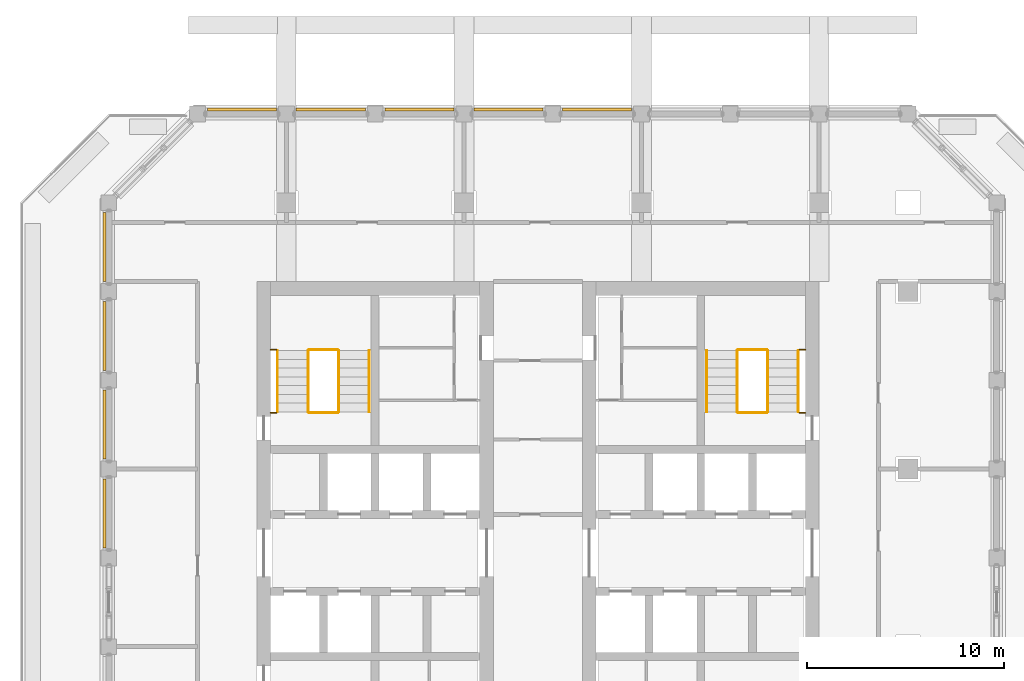
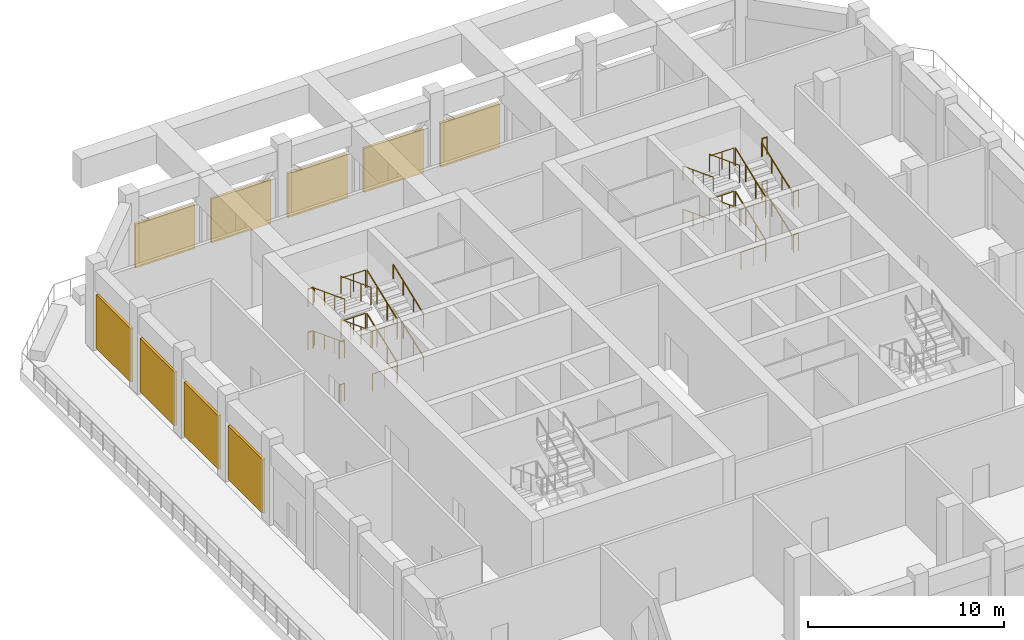
# One storey, part 17 of 19: 32 railings, 9 shading devices.
"""IFC4 building model written with IfcOpenShell, lengths in metres."""

from ifc_helpers import new_model, si_unit, direction, frame, origin, origin_2d, place, context, subcontext, project, spatial, rectangle, circle, extrude, material, layer, layer_set, type_object, element, save


model = new_model("IFC4")

# Units and contexts
model_context = context("Model", 3, precision=1e-05, world=origin(), true_north=direction((0.0, 1.0)))
body_context = subcontext(model_context, "Body", "Model", "MODEL_VIEW")
ifc_project = project(units=[si_unit("LENGTHUNIT", "METRE"), si_unit("AREAUNIT", "SQUARE_METRE"), si_unit("VOLUMEUNIT", "CUBIC_METRE"), si_unit("PLANEANGLEUNIT", "RADIAN"), si_unit("MASSUNIT", "GRAM", prefix="KILO")], contexts=[model_context])

# Site, building, storey
site_placement = place(None, origin())
site = spatial("IfcSite", under=ifc_project, at=site_placement, CompositionType="ELEMENT")
building_placement = place(site_placement, origin())
building = spatial("IfcBuilding", under=site, at=building_placement, Name="Corbel Stack Research Tower", CompositionType="ELEMENT")
storey_placement = place(building_placement, frame((0.0, 0.0, 226.199951171875)))
storey = spatial("IfcBuildingStorey", under=building, at=storey_placement, Name="L51", CompositionType="ELEMENT", Elevation=226.199951171875)

# Shading devices
ifc_material_1 = material(Name="Aluminium louvre", Category="aluminium")
ifc_layer = layer(ifc_material_1, 0.14990234375)
ifc_layer_set = layer_set([ifc_layer], Name="Aluminium louvre")
shading_device_type = type_object("IfcShadingDeviceType", Name="Plant louvre 150", PredefinedType="USERDEFINED", material=ifc_layer_set)
for number, where, z_axis, x_axis, name in (
    (1, (6.75, 27.22509765625, 0.199951171875), (0.0, 0.0, 1.0), (-1.0, 0.0, 0.0), "Plant louvre L51 N04"),
    (2, (2.25, 27.22509765625, 0.199951171875), (0.0, 0.0, 1.0), (-1.0, 0.0, 0.0), "Plant louvre L51 N05"),
    (3, (-2.25, 27.22509765625, 0.199951171875), (0.0, 0.0, 1.0), (-1.0, 0.0, 0.0), "Plant louvre L51 N06"),
    (4, (-6.75, 27.22509765625, 0.199951171875), (0.0, 0.0, 1.0), (-1.0, 0.0, 0.0), "Plant louvre L51 N07"),
    (5, (-11.25, 27.22509765625, 0.199951171875), (0.0, 0.0, 1.0), (-1.0, 0.0, 0.0), "Plant louvre L51 N08"),
):
    element("IfcShadingDevice", number, at=place(storey_placement, frame(where, z_axis=z_axis, x_axis=x_axis)), inside=storey, type_object=shading_device_type, Name=name, ObjectType="LOUVRE", PredefinedType="USERDEFINED", context=body_context, shape_type="SweptSolid", body=[
        extrude(rectangle(XDim=3.5, YDim=0.14990234375, at=origin_2d()), origin(), (0.0, 0.0, 1.0), 2.75),
    ])
for number, where, z_axis, x_axis, name in (
    (6, (-18.22509765625, 20.25, 0.199951171875), (0.0, 0.0, 1.0), (0.0, -1.0, 0.0), "Plant louvre L51 W01"),
    (7, (-18.22509765625, 15.75, 0.199951171875), (0.0, 0.0, 1.0), (0.0, -1.0, 0.0), "Plant louvre L51 W02"),
    (8, (-18.22509765625, 11.25, 0.199951171875), (0.0, 0.0, 1.0), (0.0, -1.0, 0.0), "Plant louvre L51 W03"),
    (9, (-18.22509765625, 6.75, 0.199951171875), (0.0, 0.0, 1.0), (0.0, -1.0, 0.0), "Plant louvre L51 W04"),
):
    element("IfcShadingDevice", number, at=place(storey_placement, frame(where, z_axis=z_axis, x_axis=x_axis)), inside=storey, type_object=shading_device_type, Name=name, ObjectType="LOUVRE", PredefinedType="USERDEFINED", context=body_context, shape_type="SweptSolid", body=[
        extrude(rectangle(XDim=3.5, YDim=0.14990234375, at=origin_2d()), origin(), (0.0, 0.0, 1.0), 3.35009765625),
    ])

# Railings
ifc_material_2 = material(Name="Steel S355", Category="steel")
railing_type_1 = type_object("IfcRailingType", Name="Stair guard 1100", PredefinedType="GUARDRAIL", material=ifc_material_2)
railing_1_placement = place(storey_placement, frame((-6.35009765625, 11.89990234375, 0.168701171875)))
element("IfcRailing", 10, at=railing_1_placement, inside=storey, type_object=railing_type_1, Name="L51 ST-W2 stair guard 1", PredefinedType="GUARDRAIL", context=body_context, shape_type="SweptSolid", body=[
    extrude(circle(Radius=0.02392578125, at=origin_2d()), frame((0.0, 0.0, 1.076171875), z_axis=(0.0, 0.934484238495, 0.356004505596), x_axis=(-1.0, 0.0, 0.0)), (0.0, 0.0, 1.0), 3.318603515625),
    extrude(circle(Radius=0.02099609375, at=origin_2d()), origin(), (0.0, 0.0, 1.0), 1.052001953125),
    extrude(circle(Radius=0.02099609375, at=origin_2d()), frame((0.0, 1.03369140625, 0.393798828125)), (0.0, 0.0, 1.0), 1.052001953125),
    extrude(circle(Radius=0.02099609375, at=origin_2d()), frame((0.0, 2.0673828125, 0.78759765625)), (0.0, 0.0, 1.0), 1.052001953125),
    extrude(circle(Radius=0.02099609375, at=origin_2d()), frame((0.0, 3.10107421875, 1.181396484375)), (0.0, 0.0, 1.0), 1.052001953125),
])
railing_2_placement = place(storey_placement, frame((-6.39990234375, 15.051025390625, 1.35009765625)))
element("IfcRailing", 11, at=railing_2_placement, inside=storey, type_object=railing_type_1, Name="L51 ST-W2 stair guard 2", PredefinedType="GUARDRAIL", context=body_context, shape_type="SweptSolid", body=[
    extrude(circle(Radius=0.02392578125, at=origin_2d()), frame((0.0, 0.0, 1.076171875), z_axis=(-1.0, 0.0, 0.0), x_axis=(0.0, -1.0, 0.0)), (0.0, 0.0, 1.0), 1.4501953125),
    extrude(circle(Radius=0.02099609375, at=origin_2d()), origin(), (0.0, 0.0, 1.0), 1.052001953125),
    extrude(circle(Radius=0.02099609375, at=origin_2d()), frame((-0.72509765625, 0.0, 0.0)), (0.0, 0.0, 1.0), 1.052001953125),
    extrude(circle(Radius=0.02099609375, at=origin_2d()), frame((-1.4501953125, 0.0, 0.0)), (0.0, 0.0, 1.0), 1.052001953125),
])
railing_3_placement = place(storey_placement, frame((-9.5, 15.051025390625, 1.35009765625)))
element("IfcRailing", 12, at=railing_3_placement, inside=storey, type_object=railing_type_1, Name="L51 ST-W2 stair guard 3", PredefinedType="GUARDRAIL", context=body_context, shape_type="SweptSolid", body=[
    extrude(circle(Radius=0.02392578125, at=origin_2d()), frame((0.0, 0.0, 1.076171875), z_axis=(-1.0, 0.0, 0.0), x_axis=(0.0, -1.0, 0.0)), (0.0, 0.0, 1.0), 0.300048828125),
    extrude(circle(Radius=0.02099609375, at=origin_2d()), origin(), (0.0, 0.0, 1.0), 1.052001953125),
    extrude(circle(Radius=0.02099609375, at=origin_2d()), frame((-0.300048828125, 0.0, 0.0)), (0.0, 0.0, 1.0), 1.052001953125),
])
railing_4_placement = place(storey_placement, frame((-7.89990234375, 15.0009765625, 1.518798828125)))
element("IfcRailing", 13, at=railing_4_placement, inside=storey, type_object=railing_type_1, Name="L51 ST-W2 stair guard 4", PredefinedType="GUARDRAIL", context=body_context, shape_type="SweptSolid", body=[
    extrude(circle(Radius=0.02392578125, at=origin_2d()), frame((0.0, 0.0, 1.076171875), z_axis=(0.0, -0.934508712189, 0.355940257406), x_axis=(1.0, 0.0, 0.0)), (0.0, 0.0, 1.0), 3.318359375),
    extrude(circle(Radius=0.02099609375, at=origin_2d()), origin(), (0.0, 0.0, 1.0), 1.052001953125),
    extrude(circle(Radius=0.02099609375, at=origin_2d()), frame((0.0, -1.03369140625, 0.393798828125)), (0.0, 0.0, 1.0), 1.052001953125),
    extrude(circle(Radius=0.02099609375, at=origin_2d()), frame((0.0, -2.0673828125, 0.787353515625)), (0.0, 0.0, 1.0), 1.052001953125),
    extrude(circle(Radius=0.02099609375, at=origin_2d()), frame((0.0, -3.10107421875, 1.18115234375)), (0.0, 0.0, 1.0), 1.052001953125),
])
railing_5_placement = place(storey_placement, frame((-6.39990234375, 11.85009765625, 2.699951171875)))
element("IfcRailing", 14, at=railing_5_placement, inside=storey, type_object=railing_type_1, Name="L51 ST-W2 stair guard 5", PredefinedType="GUARDRAIL", context=body_context, shape_type="SweptSolid", body=[
    extrude(circle(Radius=0.02392578125, at=origin_2d()), frame((0.0, 0.0, 1.076171875), z_axis=(-1.0, 0.0, 0.0), x_axis=(0.0, -1.0, 0.0)), (0.0, 0.0, 1.0), 1.4501953125),
    extrude(circle(Radius=0.02099609375, at=origin_2d()), origin(), (0.0, 0.0, 1.0), 1.052001953125),
    extrude(circle(Radius=0.02099609375, at=origin_2d()), frame((-0.72509765625, 0.0, 0.0)), (0.0, 0.0, 1.0), 1.052001953125),
    extrude(circle(Radius=0.02099609375, at=origin_2d()), frame((-1.4501953125, 0.0, 0.0)), (0.0, 0.0, 1.0), 1.052001953125),
])
railing_6_placement = place(storey_placement, frame((-9.5, 11.85009765625, 2.699951171875)))
element("IfcRailing", 15, at=railing_6_placement, inside=storey, type_object=railing_type_1, Name="L51 ST-W2 stair guard 6", PredefinedType="GUARDRAIL", context=body_context, shape_type="SweptSolid", body=[
    extrude(circle(Radius=0.02392578125, at=origin_2d()), frame((0.0, 0.0, 1.076171875), z_axis=(-1.0, 0.0, 0.0), x_axis=(0.0, -1.0, 0.0)), (0.0, 0.0, 1.0), 0.300048828125),
    extrude(circle(Radius=0.02099609375, at=origin_2d()), origin(), (0.0, 0.0, 1.0), 1.052001953125),
    extrude(circle(Radius=0.02099609375, at=origin_2d()), frame((-0.300048828125, 0.0, 0.0)), (0.0, 0.0, 1.0), 1.052001953125),
])
railing_7_placement = place(storey_placement, frame((-6.35009765625, 11.89990234375, 2.868896484375)))
element("IfcRailing", 16, at=railing_7_placement, inside=storey, type_object=railing_type_1, Name="L51 ST-W2 stair guard 7", PredefinedType="GUARDRAIL", context=body_context, shape_type="SweptSolid", body=[
    extrude(circle(Radius=0.02392578125, at=origin_2d()), frame((0.0, 0.0, 1.076171875), z_axis=(0.0, 0.934508712189, 0.355940257406), x_axis=(-1.0, 0.0, 0.0)), (0.0, 0.0, 1.0), 3.318359375),
    extrude(circle(Radius=0.02099609375, at=origin_2d()), origin(), (0.0, 0.0, 1.0), 1.052001953125),
    extrude(circle(Radius=0.02099609375, at=origin_2d()), frame((0.0, 1.03369140625, 0.393798828125)), (0.0, 0.0, 1.0), 1.052001953125),
    extrude(circle(Radius=0.02099609375, at=origin_2d()), frame((0.0, 2.0673828125, 0.787353515625)), (0.0, 0.0, 1.0), 1.052001953125),
    extrude(circle(Radius=0.02099609375, at=origin_2d()), frame((0.0, 3.10107421875, 1.18115234375)), (0.0, 0.0, 1.0), 1.052001953125),
])
railing_8_placement = place(storey_placement, frame((-6.39990234375, 15.051025390625, 4.050048828125)))
element("IfcRailing", 17, at=railing_8_placement, inside=storey, type_object=railing_type_1, Name="L51 ST-W2 stair guard 8", PredefinedType="GUARDRAIL", context=body_context, shape_type="SweptSolid", body=[
    extrude(circle(Radius=0.02392578125, at=origin_2d()), frame((0.0, 0.0, 1.076171875), z_axis=(-1.0, 0.0, 0.0), x_axis=(0.0, -1.0, 0.0)), (0.0, 0.0, 1.0), 1.4501953125),
    extrude(circle(Radius=0.02099609375, at=origin_2d()), origin(), (0.0, 0.0, 1.0), 1.052001953125),
    extrude(circle(Radius=0.02099609375, at=origin_2d()), frame((-0.72509765625, 0.0, 0.0)), (0.0, 0.0, 1.0), 1.052001953125),
    extrude(circle(Radius=0.02099609375, at=origin_2d()), frame((-1.4501953125, 0.0, 0.0)), (0.0, 0.0, 1.0), 1.052001953125),
])
railing_9_placement = place(storey_placement, frame((-9.5, 15.051025390625, 4.050048828125)))
element("IfcRailing", 18, at=railing_9_placement, inside=storey, type_object=railing_type_1, Name="L51 ST-W2 stair guard 9", PredefinedType="GUARDRAIL", context=body_context, shape_type="SweptSolid", body=[
    extrude(circle(Radius=0.02392578125, at=origin_2d()), frame((0.0, 0.0, 1.076171875), z_axis=(-1.0, 0.0, 0.0), x_axis=(0.0, -1.0, 0.0)), (0.0, 0.0, 1.0), 0.300048828125),
    extrude(circle(Radius=0.02099609375, at=origin_2d()), origin(), (0.0, 0.0, 1.0), 1.052001953125),
    extrude(circle(Radius=0.02099609375, at=origin_2d()), frame((-0.300048828125, 0.0, 0.0)), (0.0, 0.0, 1.0), 1.052001953125),
])
railing_10_placement = place(storey_placement, frame((-7.89990234375, 15.0009765625, 4.21875)))
element("IfcRailing", 19, at=railing_10_placement, inside=storey, type_object=railing_type_1, Name="L51 ST-W2 stair guard 10", PredefinedType="GUARDRAIL", context=body_context, shape_type="SweptSolid", body=[
    extrude(circle(Radius=0.02392578125, at=origin_2d()), frame((0.0, 0.0, 1.076171875), z_axis=(0.0, -0.934484238495, 0.356004505596), x_axis=(1.0, 0.0, 0.0)), (0.0, 0.0, 1.0), 3.318603515625),
    extrude(circle(Radius=0.02099609375, at=origin_2d()), origin(), (0.0, 0.0, 1.0), 1.052001953125),
    extrude(circle(Radius=0.02099609375, at=origin_2d()), frame((0.0, -1.03369140625, 0.393798828125)), (0.0, 0.0, 1.0), 1.052001953125),
    extrude(circle(Radius=0.02099609375, at=origin_2d()), frame((0.0, -2.0673828125, 0.78759765625)), (0.0, 0.0, 1.0), 1.052001953125),
    extrude(circle(Radius=0.02099609375, at=origin_2d()), frame((0.0, -3.10107421875, 1.181396484375)), (0.0, 0.0, 1.0), 1.052001953125),
])
railing_11_placement = place(storey_placement, frame((-6.39990234375, 11.85009765625, 0.0)))
element("IfcRailing", 20, at=railing_11_placement, inside=storey, type_object=railing_type_1, Name="L51 ST-W2 stair guard 11", PredefinedType="GUARDRAIL", context=body_context, shape_type="SweptSolid", body=[
    extrude(circle(Radius=0.02392578125, at=origin_2d()), frame((0.0, 0.0, 1.076171875), z_axis=(-1.0, 0.0, 0.0), x_axis=(0.0, -1.0, 0.0)), (0.0, 0.0, 1.0), 1.4501953125),
    extrude(circle(Radius=0.02099609375, at=origin_2d()), origin(), (0.0, 0.0, 1.0), 1.052001953125),
    extrude(circle(Radius=0.02099609375, at=origin_2d()), frame((-0.72509765625, 0.0, 0.0)), (0.0, 0.0, 1.0), 1.052001953125),
    extrude(circle(Radius=0.02099609375, at=origin_2d()), frame((-1.4501953125, 0.0, 0.0)), (0.0, 0.0, 1.0), 1.052001953125),
])
railing_12_placement = place(storey_placement, frame((-9.5, 11.85009765625, 0.0)))
element("IfcRailing", 21, at=railing_12_placement, inside=storey, type_object=railing_type_1, Name="L51 ST-W2 stair guard 12", PredefinedType="GUARDRAIL", context=body_context, shape_type="SweptSolid", body=[
    extrude(circle(Radius=0.02392578125, at=origin_2d()), frame((0.0, 0.0, 1.076171875), z_axis=(-1.0, 0.0, 0.0), x_axis=(0.0, -1.0, 0.0)), (0.0, 0.0, 1.0), 0.300048828125),
    extrude(circle(Radius=0.02099609375, at=origin_2d()), origin(), (0.0, 0.0, 1.0), 1.052001953125),
    extrude(circle(Radius=0.02099609375, at=origin_2d()), frame((-0.300048828125, 0.0, 0.0)), (0.0, 0.0, 1.0), 1.052001953125),
])
railing_13_placement = place(storey_placement, frame((15.39990234375, 11.89990234375, 0.168701171875)))
element("IfcRailing", 22, at=railing_13_placement, inside=storey, type_object=railing_type_1, Name="L51 ST-E2 stair guard 1", PredefinedType="GUARDRAIL", context=body_context, shape_type="SweptSolid", body=[
    extrude(circle(Radius=0.02392578125, at=origin_2d()), frame((0.0, 0.0, 1.076171875), z_axis=(0.0, 0.934484238495, 0.356004505596), x_axis=(-1.0, 0.0, 0.0)), (0.0, 0.0, 1.0), 3.318603515625),
    extrude(circle(Radius=0.02099609375, at=origin_2d()), origin(), (0.0, 0.0, 1.0), 1.052001953125),
    extrude(circle(Radius=0.02099609375, at=origin_2d()), frame((0.0, 1.03369140625, 0.393798828125)), (0.0, 0.0, 1.0), 1.052001953125),
    extrude(circle(Radius=0.02099609375, at=origin_2d()), frame((0.0, 2.0673828125, 0.78759765625)), (0.0, 0.0, 1.0), 1.052001953125),
    extrude(circle(Radius=0.02099609375, at=origin_2d()), frame((0.0, 3.10107421875, 1.181396484375)), (0.0, 0.0, 1.0), 1.052001953125),
])
railing_14_placement = place(storey_placement, frame((15.35009765625, 15.051025390625, 1.35009765625)))
element("IfcRailing", 23, at=railing_14_placement, inside=storey, type_object=railing_type_1, Name="L51 ST-E2 stair guard 2", PredefinedType="GUARDRAIL", context=body_context, shape_type="SweptSolid", body=[
    extrude(circle(Radius=0.02392578125, at=origin_2d()), frame((0.0, 0.0, 1.076171875), z_axis=(-1.0, 0.0, 0.0), x_axis=(0.0, -1.0, 0.0)), (0.0, 0.0, 1.0), 1.4501953125),
    extrude(circle(Radius=0.02099609375, at=origin_2d()), origin(), (0.0, 0.0, 1.0), 1.052001953125),
    extrude(circle(Radius=0.02099609375, at=origin_2d()), frame((-0.72509765625, 0.0, 0.0)), (0.0, 0.0, 1.0), 1.052001953125),
    extrude(circle(Radius=0.02099609375, at=origin_2d()), frame((-1.4501953125, 0.0, 0.0)), (0.0, 0.0, 1.0), 1.052001953125),
])
railing_15_placement = place(storey_placement, frame((17.300048828125, 15.051025390625, 1.35009765625)))
element("IfcRailing", 24, at=railing_15_placement, inside=storey, type_object=railing_type_1, Name="L51 ST-E2 stair guard 3", PredefinedType="GUARDRAIL", context=body_context, shape_type="SweptSolid", body=[
    extrude(circle(Radius=0.02392578125, at=origin_2d()), frame((0.0, 0.0, 1.076171875), z_axis=(-1.0, 0.0, 0.0), x_axis=(0.0, -1.0, 0.0)), (0.0, 0.0, 1.0), 0.300048828125),
    extrude(circle(Radius=0.02099609375, at=origin_2d()), origin(), (0.0, 0.0, 1.0), 1.052001953125),
    extrude(circle(Radius=0.02099609375, at=origin_2d()), frame((-0.300048828125, 0.0, 0.0)), (0.0, 0.0, 1.0), 1.052001953125),
])
railing_16_placement = place(storey_placement, frame((13.85009765625, 15.0009765625, 1.518798828125)))
element("IfcRailing", 25, at=railing_16_placement, inside=storey, type_object=railing_type_1, Name="L51 ST-E2 stair guard 4", PredefinedType="GUARDRAIL", context=body_context, shape_type="SweptSolid", body=[
    extrude(circle(Radius=0.02392578125, at=origin_2d()), frame((0.0, 0.0, 1.076171875), z_axis=(0.0, -0.934508712189, 0.355940257406), x_axis=(1.0, 0.0, 0.0)), (0.0, 0.0, 1.0), 3.318359375),
    extrude(circle(Radius=0.02099609375, at=origin_2d()), origin(), (0.0, 0.0, 1.0), 1.052001953125),
    extrude(circle(Radius=0.02099609375, at=origin_2d()), frame((0.0, -1.03369140625, 0.393798828125)), (0.0, 0.0, 1.0), 1.052001953125),
    extrude(circle(Radius=0.02099609375, at=origin_2d()), frame((0.0, -2.0673828125, 0.787353515625)), (0.0, 0.0, 1.0), 1.052001953125),
    extrude(circle(Radius=0.02099609375, at=origin_2d()), frame((0.0, -3.10107421875, 1.18115234375)), (0.0, 0.0, 1.0), 1.052001953125),
])
railing_17_placement = place(storey_placement, frame((15.35009765625, 11.85009765625, 2.699951171875)))
element("IfcRailing", 26, at=railing_17_placement, inside=storey, type_object=railing_type_1, Name="L51 ST-E2 stair guard 5", PredefinedType="GUARDRAIL", context=body_context, shape_type="SweptSolid", body=[
    extrude(circle(Radius=0.02392578125, at=origin_2d()), frame((0.0, 0.0, 1.076171875), z_axis=(-1.0, 0.0, 0.0), x_axis=(0.0, -1.0, 0.0)), (0.0, 0.0, 1.0), 1.4501953125),
    extrude(circle(Radius=0.02099609375, at=origin_2d()), origin(), (0.0, 0.0, 1.0), 1.052001953125),
    extrude(circle(Radius=0.02099609375, at=origin_2d()), frame((-0.72509765625, 0.0, 0.0)), (0.0, 0.0, 1.0), 1.052001953125),
    extrude(circle(Radius=0.02099609375, at=origin_2d()), frame((-1.4501953125, 0.0, 0.0)), (0.0, 0.0, 1.0), 1.052001953125),
])
railing_18_placement = place(storey_placement, frame((17.300048828125, 11.85009765625, 2.699951171875)))
element("IfcRailing", 27, at=railing_18_placement, inside=storey, type_object=railing_type_1, Name="L51 ST-E2 stair guard 6", PredefinedType="GUARDRAIL", context=body_context, shape_type="SweptSolid", body=[
    extrude(circle(Radius=0.02392578125, at=origin_2d()), frame((0.0, 0.0, 1.076171875), z_axis=(-1.0, 0.0, 0.0), x_axis=(0.0, -1.0, 0.0)), (0.0, 0.0, 1.0), 0.300048828125),
    extrude(circle(Radius=0.02099609375, at=origin_2d()), origin(), (0.0, 0.0, 1.0), 1.052001953125),
    extrude(circle(Radius=0.02099609375, at=origin_2d()), frame((-0.300048828125, 0.0, 0.0)), (0.0, 0.0, 1.0), 1.052001953125),
])
railing_19_placement = place(storey_placement, frame((15.39990234375, 11.89990234375, 2.868896484375)))
element("IfcRailing", 28, at=railing_19_placement, inside=storey, type_object=railing_type_1, Name="L51 ST-E2 stair guard 7", PredefinedType="GUARDRAIL", context=body_context, shape_type="SweptSolid", body=[
    extrude(circle(Radius=0.02392578125, at=origin_2d()), frame((0.0, 0.0, 1.076171875), z_axis=(0.0, 0.934508712189, 0.355940257406), x_axis=(-1.0, 0.0, 0.0)), (0.0, 0.0, 1.0), 3.318359375),
    extrude(circle(Radius=0.02099609375, at=origin_2d()), origin(), (0.0, 0.0, 1.0), 1.052001953125),
    extrude(circle(Radius=0.02099609375, at=origin_2d()), frame((0.0, 1.03369140625, 0.393798828125)), (0.0, 0.0, 1.0), 1.052001953125),
    extrude(circle(Radius=0.02099609375, at=origin_2d()), frame((0.0, 2.0673828125, 0.787353515625)), (0.0, 0.0, 1.0), 1.052001953125),
    extrude(circle(Radius=0.02099609375, at=origin_2d()), frame((0.0, 3.10107421875, 1.18115234375)), (0.0, 0.0, 1.0), 1.052001953125),
])
railing_20_placement = place(storey_placement, frame((15.35009765625, 15.051025390625, 4.050048828125)))
element("IfcRailing", 29, at=railing_20_placement, inside=storey, type_object=railing_type_1, Name="L51 ST-E2 stair guard 8", PredefinedType="GUARDRAIL", context=body_context, shape_type="SweptSolid", body=[
    extrude(circle(Radius=0.02392578125, at=origin_2d()), frame((0.0, 0.0, 1.076171875), z_axis=(-1.0, 0.0, 0.0), x_axis=(0.0, -1.0, 0.0)), (0.0, 0.0, 1.0), 1.4501953125),
    extrude(circle(Radius=0.02099609375, at=origin_2d()), origin(), (0.0, 0.0, 1.0), 1.052001953125),
    extrude(circle(Radius=0.02099609375, at=origin_2d()), frame((-0.72509765625, 0.0, 0.0)), (0.0, 0.0, 1.0), 1.052001953125),
    extrude(circle(Radius=0.02099609375, at=origin_2d()), frame((-1.4501953125, 0.0, 0.0)), (0.0, 0.0, 1.0), 1.052001953125),
])
railing_21_placement = place(storey_placement, frame((17.300048828125, 15.051025390625, 4.050048828125)))
element("IfcRailing", 30, at=railing_21_placement, inside=storey, type_object=railing_type_1, Name="L51 ST-E2 stair guard 9", PredefinedType="GUARDRAIL", context=body_context, shape_type="SweptSolid", body=[
    extrude(circle(Radius=0.02392578125, at=origin_2d()), frame((0.0, 0.0, 1.076171875), z_axis=(-1.0, 0.0, 0.0), x_axis=(0.0, -1.0, 0.0)), (0.0, 0.0, 1.0), 0.300048828125),
    extrude(circle(Radius=0.02099609375, at=origin_2d()), origin(), (0.0, 0.0, 1.0), 1.052001953125),
    extrude(circle(Radius=0.02099609375, at=origin_2d()), frame((-0.300048828125, 0.0, 0.0)), (0.0, 0.0, 1.0), 1.052001953125),
])
railing_22_placement = place(storey_placement, frame((13.85009765625, 15.0009765625, 4.21875)))
element("IfcRailing", 31, at=railing_22_placement, inside=storey, type_object=railing_type_1, Name="L51 ST-E2 stair guard 10", PredefinedType="GUARDRAIL", context=body_context, shape_type="SweptSolid", body=[
    extrude(circle(Radius=0.02392578125, at=origin_2d()), frame((0.0, 0.0, 1.076171875), z_axis=(0.0, -0.934484238495, 0.356004505596), x_axis=(1.0, 0.0, 0.0)), (0.0, 0.0, 1.0), 3.318603515625),
    extrude(circle(Radius=0.02099609375, at=origin_2d()), origin(), (0.0, 0.0, 1.0), 1.052001953125),
    extrude(circle(Radius=0.02099609375, at=origin_2d()), frame((0.0, -1.03369140625, 0.393798828125)), (0.0, 0.0, 1.0), 1.052001953125),
    extrude(circle(Radius=0.02099609375, at=origin_2d()), frame((0.0, -2.0673828125, 0.78759765625)), (0.0, 0.0, 1.0), 1.052001953125),
    extrude(circle(Radius=0.02099609375, at=origin_2d()), frame((0.0, -3.10107421875, 1.181396484375)), (0.0, 0.0, 1.0), 1.052001953125),
])
railing_23_placement = place(storey_placement, frame((15.35009765625, 11.85009765625, 0.0)))
element("IfcRailing", 32, at=railing_23_placement, inside=storey, type_object=railing_type_1, Name="L51 ST-E2 stair guard 11", PredefinedType="GUARDRAIL", context=body_context, shape_type="SweptSolid", body=[
    extrude(circle(Radius=0.02392578125, at=origin_2d()), frame((0.0, 0.0, 1.076171875), z_axis=(-1.0, 0.0, 0.0), x_axis=(0.0, -1.0, 0.0)), (0.0, 0.0, 1.0), 1.4501953125),
    extrude(circle(Radius=0.02099609375, at=origin_2d()), origin(), (0.0, 0.0, 1.0), 1.052001953125),
    extrude(circle(Radius=0.02099609375, at=origin_2d()), frame((-0.72509765625, 0.0, 0.0)), (0.0, 0.0, 1.0), 1.052001953125),
    extrude(circle(Radius=0.02099609375, at=origin_2d()), frame((-1.4501953125, 0.0, 0.0)), (0.0, 0.0, 1.0), 1.052001953125),
])
railing_24_placement = place(storey_placement, frame((17.300048828125, 11.85009765625, 0.0)))
element("IfcRailing", 33, at=railing_24_placement, inside=storey, type_object=railing_type_1, Name="L51 ST-E2 stair guard 12", PredefinedType="GUARDRAIL", context=body_context, shape_type="SweptSolid", body=[
    extrude(circle(Radius=0.02392578125, at=origin_2d()), frame((0.0, 0.0, 1.076171875), z_axis=(-1.0, 0.0, 0.0), x_axis=(0.0, -1.0, 0.0)), (0.0, 0.0, 1.0), 0.300048828125),
    extrude(circle(Radius=0.02099609375, at=origin_2d()), origin(), (0.0, 0.0, 1.0), 1.052001953125),
    extrude(circle(Radius=0.02099609375, at=origin_2d()), frame((-0.300048828125, 0.0, 0.0)), (0.0, 0.0, 1.0), 1.052001953125),
])
ifc_material_3 = material(Name="Steel S355", Category="steel")
railing_type_2 = type_object("IfcRailingType", Name="Stair handrail 900", PredefinedType="HANDRAIL", material=ifc_material_3)
railing_25_placement = place(storey_placement, frame((-4.800048828125, 11.89990234375, 0.168701171875)))
element("IfcRailing", 34, at=railing_25_placement, inside=storey, type_object=railing_type_2, Name="L51 ST-W2 stair handrail 1", PredefinedType="HANDRAIL", context=body_context, shape_type="SweptSolid", body=[
    extrude(circle(Radius=0.02392578125, at=origin_2d()), frame((0.0, 0.0, 0.8759765625), z_axis=(0.0, 0.934484238495, 0.356004505596), x_axis=(-1.0, 0.0, 0.0)), (0.0, 0.0, 1.0), 3.318603515625),
    extrude(circle(Radius=0.02099609375, at=origin_2d()), origin(), (0.0, 0.0, 1.0), 0.851806640625),
    extrude(circle(Radius=0.02099609375, at=origin_2d()), frame((0.0, 1.03369140625, 0.393798828125)), (0.0, 0.0, 1.0), 0.851806640625),
    extrude(circle(Radius=0.02099609375, at=origin_2d()), frame((0.0, 2.0673828125, 0.78759765625)), (0.0, 0.0, 1.0), 0.851806640625),
    extrude(circle(Radius=0.02099609375, at=origin_2d()), frame((0.0, 3.10107421875, 1.181396484375)), (0.0, 0.0, 1.0), 0.851806640625),
])
railing_26_placement = place(storey_placement, frame((-9.449951171875, 15.0009765625, 1.518798828125)))
element("IfcRailing", 35, at=railing_26_placement, inside=storey, type_object=railing_type_2, Name="L51 ST-W2 stair handrail 2", PredefinedType="HANDRAIL", context=body_context, shape_type="SweptSolid", body=[
    extrude(circle(Radius=0.02392578125, at=origin_2d()), frame((0.0, 0.0, 0.8759765625), z_axis=(0.0, -0.934508712189, 0.355940257406), x_axis=(1.0, 0.0, 0.0)), (0.0, 0.0, 1.0), 3.318359375),
    extrude(circle(Radius=0.02099609375, at=origin_2d()), origin(), (0.0, 0.0, 1.0), 0.851806640625),
    extrude(circle(Radius=0.02099609375, at=origin_2d()), frame((0.0, -1.03369140625, 0.393798828125)), (0.0, 0.0, 1.0), 0.851806640625),
    extrude(circle(Radius=0.02099609375, at=origin_2d()), frame((0.0, -2.0673828125, 0.787353515625)), (0.0, 0.0, 1.0), 0.851806640625),
    extrude(circle(Radius=0.02099609375, at=origin_2d()), frame((0.0, -3.10107421875, 1.18115234375)), (0.0, 0.0, 1.0), 0.851806640625),
])
railing_27_placement = place(storey_placement, frame((-4.800048828125, 11.89990234375, 2.868896484375)))
element("IfcRailing", 36, at=railing_27_placement, inside=storey, type_object=railing_type_2, Name="L51 ST-W2 stair handrail 3", PredefinedType="HANDRAIL", context=body_context, shape_type="SweptSolid", body=[
    extrude(circle(Radius=0.02392578125, at=origin_2d()), frame((0.0, 0.0, 0.8759765625), z_axis=(0.0, 0.934508712189, 0.355940257406), x_axis=(-1.0, 0.0, 0.0)), (0.0, 0.0, 1.0), 3.318359375),
    extrude(circle(Radius=0.02099609375, at=origin_2d()), origin(), (0.0, 0.0, 1.0), 0.851806640625),
    extrude(circle(Radius=0.02099609375, at=origin_2d()), frame((0.0, 1.03369140625, 0.393798828125)), (0.0, 0.0, 1.0), 0.851806640625),
    extrude(circle(Radius=0.02099609375, at=origin_2d()), frame((0.0, 2.0673828125, 0.787353515625)), (0.0, 0.0, 1.0), 0.851806640625),
    extrude(circle(Radius=0.02099609375, at=origin_2d()), frame((0.0, 3.10107421875, 1.18115234375)), (0.0, 0.0, 1.0), 0.851806640625),
])
railing_28_placement = place(storey_placement, frame((-9.449951171875, 15.0009765625, 4.21875)))
element("IfcRailing", 37, at=railing_28_placement, inside=storey, type_object=railing_type_2, Name="L51 ST-W2 stair handrail 4", PredefinedType="HANDRAIL", context=body_context, shape_type="SweptSolid", body=[
    extrude(circle(Radius=0.02392578125, at=origin_2d()), frame((0.0, 0.0, 0.8759765625), z_axis=(0.0, -0.934484238495, 0.356004505596), x_axis=(1.0, 0.0, 0.0)), (0.0, 0.0, 1.0), 3.318603515625),
    extrude(circle(Radius=0.02099609375, at=origin_2d()), origin(), (0.0, 0.0, 1.0), 0.851806640625),
    extrude(circle(Radius=0.02099609375, at=origin_2d()), frame((0.0, -1.03369140625, 0.393798828125)), (0.0, 0.0, 1.0), 0.851806640625),
    extrude(circle(Radius=0.02099609375, at=origin_2d()), frame((0.0, -2.0673828125, 0.78759765625)), (0.0, 0.0, 1.0), 0.851806640625),
    extrude(circle(Radius=0.02099609375, at=origin_2d()), frame((0.0, -3.10107421875, 1.181396484375)), (0.0, 0.0, 1.0), 0.851806640625),
])
railing_29_placement = place(storey_placement, frame((16.949951171875, 11.89990234375, 0.168701171875)))
element("IfcRailing", 38, at=railing_29_placement, inside=storey, type_object=railing_type_2, Name="L51 ST-E2 stair handrail 1", PredefinedType="HANDRAIL", context=body_context, shape_type="SweptSolid", body=[
    extrude(circle(Radius=0.02392578125, at=origin_2d()), frame((0.0, 0.0, 0.8759765625), z_axis=(0.0, 0.934484238495, 0.356004505596), x_axis=(-1.0, 0.0, 0.0)), (0.0, 0.0, 1.0), 3.318603515625),
    extrude(circle(Radius=0.02099609375, at=origin_2d()), origin(), (0.0, 0.0, 1.0), 0.851806640625),
    extrude(circle(Radius=0.02099609375, at=origin_2d()), frame((0.0, 1.03369140625, 0.393798828125)), (0.0, 0.0, 1.0), 0.851806640625),
    extrude(circle(Radius=0.02099609375, at=origin_2d()), frame((0.0, 2.0673828125, 0.78759765625)), (0.0, 0.0, 1.0), 0.851806640625),
    extrude(circle(Radius=0.02099609375, at=origin_2d()), frame((0.0, 3.10107421875, 1.181396484375)), (0.0, 0.0, 1.0), 0.851806640625),
])
railing_30_placement = place(storey_placement, frame((12.300048828125, 15.0009765625, 1.518798828125)))
element("IfcRailing", 39, at=railing_30_placement, inside=storey, type_object=railing_type_2, Name="L51 ST-E2 stair handrail 2", PredefinedType="HANDRAIL", context=body_context, shape_type="SweptSolid", body=[
    extrude(circle(Radius=0.02392578125, at=origin_2d()), frame((0.0, 0.0, 0.8759765625), z_axis=(0.0, -0.934508712189, 0.355940257406), x_axis=(1.0, 0.0, 0.0)), (0.0, 0.0, 1.0), 3.318359375),
    extrude(circle(Radius=0.02099609375, at=origin_2d()), origin(), (0.0, 0.0, 1.0), 0.851806640625),
    extrude(circle(Radius=0.02099609375, at=origin_2d()), frame((0.0, -1.03369140625, 0.393798828125)), (0.0, 0.0, 1.0), 0.851806640625),
    extrude(circle(Radius=0.02099609375, at=origin_2d()), frame((0.0, -2.0673828125, 0.787353515625)), (0.0, 0.0, 1.0), 0.851806640625),
    extrude(circle(Radius=0.02099609375, at=origin_2d()), frame((0.0, -3.10107421875, 1.18115234375)), (0.0, 0.0, 1.0), 0.851806640625),
])
railing_31_placement = place(storey_placement, frame((16.949951171875, 11.89990234375, 2.868896484375)))
element("IfcRailing", 40, at=railing_31_placement, inside=storey, type_object=railing_type_2, Name="L51 ST-E2 stair handrail 3", PredefinedType="HANDRAIL", context=body_context, shape_type="SweptSolid", body=[
    extrude(circle(Radius=0.02392578125, at=origin_2d()), frame((0.0, 0.0, 0.8759765625), z_axis=(0.0, 0.934508712189, 0.355940257406), x_axis=(-1.0, 0.0, 0.0)), (0.0, 0.0, 1.0), 3.318359375),
    extrude(circle(Radius=0.02099609375, at=origin_2d()), origin(), (0.0, 0.0, 1.0), 0.851806640625),
    extrude(circle(Radius=0.02099609375, at=origin_2d()), frame((0.0, 1.03369140625, 0.393798828125)), (0.0, 0.0, 1.0), 0.851806640625),
    extrude(circle(Radius=0.02099609375, at=origin_2d()), frame((0.0, 2.0673828125, 0.787353515625)), (0.0, 0.0, 1.0), 0.851806640625),
    extrude(circle(Radius=0.02099609375, at=origin_2d()), frame((0.0, 3.10107421875, 1.18115234375)), (0.0, 0.0, 1.0), 0.851806640625),
])
railing_32_placement = place(storey_placement, frame((12.300048828125, 15.0009765625, 4.21875)))
element("IfcRailing", 41, at=railing_32_placement, inside=storey, type_object=railing_type_2, Name="L51 ST-E2 stair handrail 4", PredefinedType="HANDRAIL", context=body_context, shape_type="SweptSolid", body=[
    extrude(circle(Radius=0.02392578125, at=origin_2d()), frame((0.0, 0.0, 0.8759765625), z_axis=(0.0, -0.934484238495, 0.356004505596), x_axis=(1.0, 0.0, 0.0)), (0.0, 0.0, 1.0), 3.318603515625),
    extrude(circle(Radius=0.02099609375, at=origin_2d()), origin(), (0.0, 0.0, 1.0), 0.851806640625),
    extrude(circle(Radius=0.02099609375, at=origin_2d()), frame((0.0, -1.03369140625, 0.393798828125)), (0.0, 0.0, 1.0), 0.851806640625),
    extrude(circle(Radius=0.02099609375, at=origin_2d()), frame((0.0, -2.0673828125, 0.78759765625)), (0.0, 0.0, 1.0), 0.851806640625),
    extrude(circle(Radius=0.02099609375, at=origin_2d()), frame((0.0, -3.10107421875, 1.181396484375)), (0.0, 0.0, 1.0), 0.851806640625),
])

save(model, "model.ifc")
